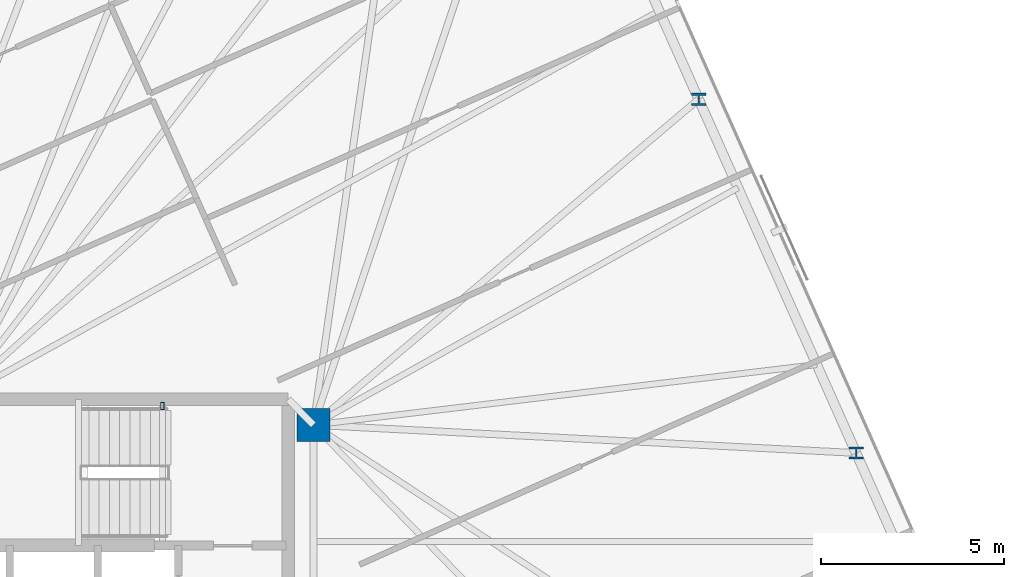
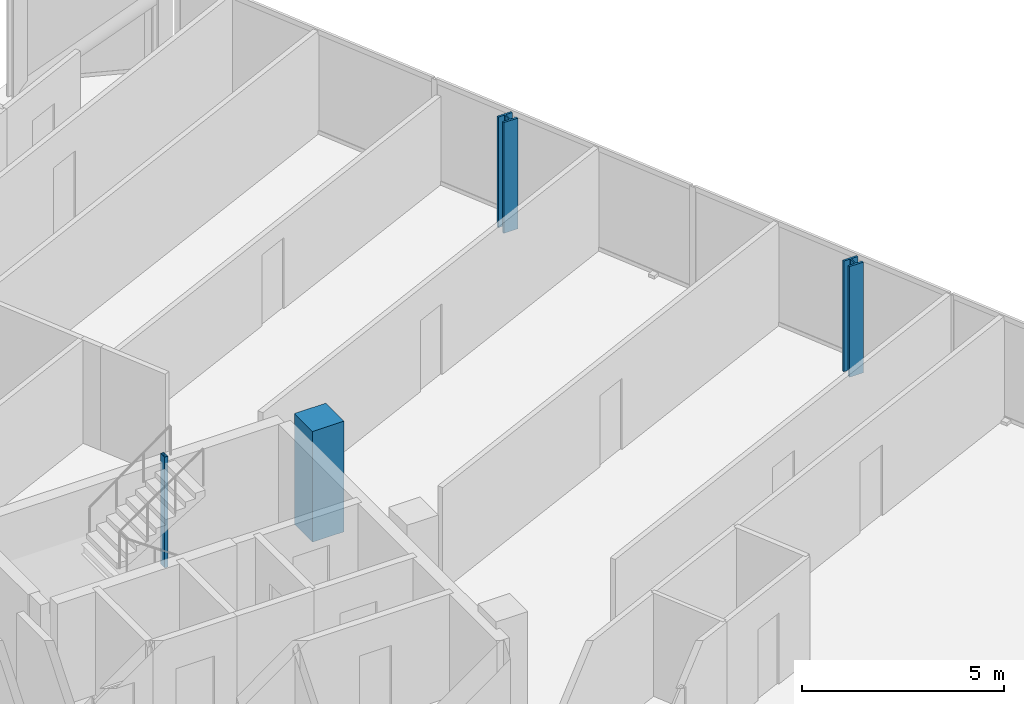
# One storey, part 3 of 19: 4 columns.
"""IFC4 building model written with IfcOpenShell, lengths in metres."""

import ifcopenshell
import ifcopenshell.guid

model = None  # the IFC model being written
_history = None  # IfcOwnerHistory: only IFC2X3 demands one
_inside = {}  # id of a spatial element -> (the spatial element, [elements in it])
_under = {}  # id of a project, library or spatial element -> (it, [spatial elements below it])
_declared = {}  # id of a project -> (the project, [libraries it declares])
_typed = {}  # id of a type object -> (the type object, [elements of that type])
_made_of = {}  # id of a material, layer set ... -> (it, [elements and type objects made of it])


def new_model(schema):
    """Start an empty IFC model of exactly this schema.

    Asked for "IFC4X3", IfcOpenShell would pick the latest addendum, in which some entities
    have other attributes; the version numbers below select the first issue.
    IFC2X3 requires an IfcOwnerHistory on every rooted entity: one is made here for all.
    """
    global model, _history
    if schema == "IFC4X3":
        model = ifcopenshell.file(schema_version=(4, 3, 0, 0))
    else:
        model = ifcopenshell.file(schema=schema)
    _inside.clear()
    _under.clear()
    _declared.clear()
    _typed.clear()
    _made_of.clear()
    _history = None
    if model.schema == "IFC2X3":
        org = make("IfcOrganization", Name="unknown")
        user = make(
            "IfcPersonAndOrganization",
            ThePerson=make("IfcPerson", FamilyName="unknown"),
            TheOrganization=org,
        )
        app = make(
            "IfcApplication",
            ApplicationDeveloper=org,
            Version="unknown",
            ApplicationFullName="unknown",
            ApplicationIdentifier="unknown",
        )
        _history = make(
            "IfcOwnerHistory",
            OwningUser=user,
            OwningApplication=app,
            ChangeAction="ADDED",
            CreationDate=0,
        )
    return model


def make(cls, **values):
    """One entity of the class cls with the attributes given. An attribute that is None is left unset."""
    return model.create_entity(
        cls, **{name: value for name, value in values.items() if value is not None}
    )


def rooted(cls, **values):
    """An entity with a GlobalId (a new one), such as an element, a storey or a relation."""
    return make(cls, GlobalId=ifcopenshell.guid.new(), OwnerHistory=_history, **values)


def si_unit(unit_type, name, prefix=None):
    """IfcSIUnit, for example si_unit("LENGTHUNIT", "METRE", prefix="MILLI")."""
    return make("IfcSIUnit", UnitType=unit_type, Prefix=prefix, Name=name)


def assignment(units):
    """IfcUnitAssignment: the units of a project."""
    return None if units is None else make("IfcUnitAssignment", Units=units)


def point(xyz):
    """IfcCartesianPoint."""
    return None if xyz is None else make("IfcCartesianPoint", Coordinates=xyz)


def direction(xyz):
    """IfcDirection."""
    return None if xyz is None else make("IfcDirection", DirectionRatios=xyz)


def frame(location, z_axis=None, x_axis=None):
    """IfcAxis2Placement3D, a coordinate frame: its origin and axes. An axis left out is left unset."""
    return make(
        "IfcAxis2Placement3D",
        Location=point(location),
        Axis=direction(z_axis),
        RefDirection=direction(x_axis),
    )


def frame_2d(location, x_axis=None):
    """IfcAxis2Placement2D, a coordinate frame in the plane: its origin and x axis."""
    return make(
        "IfcAxis2Placement2D", Location=point(location), RefDirection=direction(x_axis)
    )


def origin():
    """The frame at (0, 0, 0) with its axes left unset."""
    return frame((0.0, 0.0, 0.0))


def origin_2d():
    """The frame at (0, 0) in the plane with its x axis left unset."""
    return frame_2d((0.0, 0.0))


def place(relative_to, where):
    """IfcLocalPlacement: puts the frame where relative to a parent placement (None: the world)."""
    return make(
        "IfcLocalPlacement", PlacementRelTo=relative_to, RelativePlacement=where
    )


def context(
    kind, dimensions, precision=None, world=None, true_north=None, identifier=None
):
    """IfcGeometricRepresentationContext, for example the 3D "Model" context."""
    return make(
        "IfcGeometricRepresentationContext",
        ContextIdentifier=identifier,
        ContextType=kind,
        CoordinateSpaceDimension=dimensions,
        Precision=precision,
        WorldCoordinateSystem=world,
        TrueNorth=true_north,
    )


def subcontext(parent, identifier, kind, view, scale=None):
    """IfcGeometricRepresentationSubContext, for example "Body" below "Model"."""
    return make(
        "IfcGeometricRepresentationSubContext",
        ContextIdentifier=identifier,
        ContextType=kind,
        ParentContext=parent,
        TargetScale=scale,
        TargetView=view,
    )


def project(units=None, contexts=None):
    """IfcProject with its units and contexts."""
    return rooted(
        "IfcProject",
        Name="project",
        RepresentationContexts=contexts,
        UnitsInContext=assignment(units),
    )


def spatial(cls, under=None, at=None, **own):
    """A site, building, storey or space (cls), placed at a placement, below another one or the project."""
    s = rooted(cls, ObjectPlacement=at, **own)
    if under is not None:
        _under.setdefault(under.id(), (under, []))[1].append(s)
    return s


def profile(cls, at=None, kind="AREA", **sizes):
    """A parametric profile (cls). Its sizes go by their IFC names, for example OverallWidth=200.0."""
    return make(cls, ProfileType=kind, Position=at, **sizes)


def rectangle(**sizes):
    """IfcRectangleProfileDef."""
    return profile("IfcRectangleProfileDef", **sizes)


def hollow_rectangle(**sizes):
    """IfcRectangleHollowProfileDef."""
    return profile("IfcRectangleHollowProfileDef", **sizes)


def i_section(**sizes):
    """IfcIShapeProfileDef."""
    return profile("IfcIShapeProfileDef", **sizes)


def extrude(swept, where, along, depth):
    """IfcExtrudedAreaSolid: the profile swept, set in the frame where, extruded along a direction by depth."""
    return make(
        "IfcExtrudedAreaSolid",
        SweptArea=swept,
        Position=where,
        ExtrudedDirection=direction(along),
        Depth=depth,
    )


def shape(context_of_items, identifier, shape_type, items):
    """IfcShapeRepresentation: the items that make up one representation, for example the "Body"."""
    return make(
        "IfcShapeRepresentation",
        ContextOfItems=context_of_items,
        RepresentationIdentifier=identifier,
        RepresentationType=shape_type,
        Items=items,
    )


def material(Name=None, Category=None):
    """IfcMaterial."""
    return make("IfcMaterial", Name=Name, Category=Category)


def material_profile(
    of_material, cross_section, Name=None, Category=None, Priority=None
):
    """IfcMaterialProfile: a cross section and its material."""
    return make(
        "IfcMaterialProfile",
        Name=Name,
        Material=of_material,
        Profile=cross_section,
        Priority=Priority,
        Category=Category,
    )


def profile_set(profiles, Name=None, composite=None):
    """IfcMaterialProfileSet."""
    return make(
        "IfcMaterialProfileSet",
        Name=Name,
        MaterialProfiles=profiles,
        CompositeProfile=composite,
    )


def made_of(thing, what):
    """Note that an element or type object is made of a material, layer set ...; save() writes the relation."""
    if what is not None:
        _made_of.setdefault(what.id(), (what, []))[1].append(thing)
    return thing


def type_object(cls, material=None, **own):
    """A type object (cls), such as IfcWallType, which elements share."""
    return made_of(rooted(cls, **own), material)


def element(
    cls,
    number,
    at=None,
    inside=None,
    cuts=None,
    type_object=None,
    material=None,
    context=None,
    identifier="Body",
    shape_type=None,
    held_by="IfcProductDefinitionShape",
    body=None,
    shapes=None,
    **own,
):
    """One element of the class cls, such as IfcWall. Its Tag is "e" and its number.

    at: its placement. inside: the storey or other place that contains it. cuts: it is an
    opening in that element (IfcRelVoidsElement). A single representation is given by context,
    identifier, shape_type and body (its items); several are given by shapes. held_by: the class
    of the entity that holds the representations. save() writes the other relations.
    """
    e = rooted(cls, Tag="e%d" % number, ObjectPlacement=at, **own)
    if body is not None:
        shapes = [shape(context, identifier, shape_type, body)]
    if shapes is not None:
        e.Representation = make(held_by, Representations=shapes)
    if inside is not None:
        _inside.setdefault(inside.id(), (inside, []))[1].append(e)
    if cuts is not None:
        rooted(
            "IfcRelVoidsElement", RelatingBuildingElement=cuts, RelatedOpeningElement=e
        )
    if type_object is not None:
        _typed.setdefault(type_object.id(), (type_object, []))[1].append(e)
    return made_of(e, material)


def aggregate(whole, parts):
    """IfcRelAggregates: a whole, such as a stair, and the parts it consists of."""
    return rooted("IfcRelAggregates", RelatingObject=whole, RelatedObjects=parts)


def save(model, path):
    """Write the relations noted so far, then the file.

    IfcRelAggregates (storeys below a building ...), IfcRelContainedInSpatialStructure (elements
    in a storey), IfcRelDefinesByType, IfcRelAssociatesMaterial and IfcRelDeclares: one each for
    every whole, place, type object, material and project.
    """
    for whole, parts in _under.values():
        aggregate(whole, parts)
    for where, things in _inside.values():
        rooted(
            "IfcRelContainedInSpatialStructure",
            RelatedElements=things,
            RelatingStructure=where,
        )
    for kind, things in _typed.values():
        rooted("IfcRelDefinesByType", RelatedObjects=things, RelatingType=kind)
    for what, things in _made_of.values():
        rooted("IfcRelAssociatesMaterial", RelatedObjects=things, RelatingMaterial=what)
    for by, libraries in _declared.values():
        rooted("IfcRelDeclares", RelatingContext=by, RelatedDefinitions=libraries)
    model.write(path)


model = new_model("IFC4")

# Units and contexts
model_context = context("Model", 3, precision=1e-05, world=origin(), true_north=direction((0.0, 1.0)))
body_context = subcontext(model_context, "Body", "Model", "MODEL_VIEW")
ifc_project = project(units=[si_unit("LENGTHUNIT", "METRE"), si_unit("AREAUNIT", "SQUARE_METRE"), si_unit("VOLUMEUNIT", "CUBIC_METRE"), si_unit("PLANEANGLEUNIT", "RADIAN"), si_unit("MASSUNIT", "GRAM", prefix="KILO")], contexts=[model_context])

# Site, building, storey
site_placement = place(None, origin())
site = spatial("IfcSite", under=ifc_project, at=site_placement, CompositionType="ELEMENT")
building_placement = place(site_placement, origin())
building = spatial("IfcBuilding", under=site, at=building_placement, Name="Menara Jurai Vektor", CompositionType="ELEMENT")
storey_placement = place(building_placement, frame((0.0, 0.0, 281.89990234375)))
storey = spatial("IfcBuildingStorey", under=building, at=storey_placement, Name="L75", CompositionType="ELEMENT", Elevation=281.89990234375)

# Columns
ifc_material_1 = material(Name="Concrete C50/60", Category="concrete")
ifc_material_profile_1 = material_profile(ifc_material_1, rectangle(XDim=0.89990234375, YDim=0.89990234375, at=origin_2d()), Name="RC 900x900")
ifc_profile_set_1 = profile_set([ifc_material_profile_1], Name="Concrete C50/60")
column_type_1 = type_object("IfcColumnType", Name="STR-COL-RC900", PredefinedType="COLUMN", material=ifc_profile_set_1)
column_1_placement = place(storey_placement, frame((15.25, 4.89990234375, 0.0), z_axis=(0.0, 0.0, 1.0), x_axis=(1.0, 0.0, 0.0)))
element("IfcColumn", 1, at=column_1_placement, inside=storey, type_object=column_type_1, Name="Core Spine Column CE-NE L75", PredefinedType="COLUMN", context=body_context, shape_type="SweptSolid", body=[
    extrude(rectangle(XDim=0.89990234375, YDim=0.89990234375, at=origin_2d()), origin(), (0.0, 0.0, 1.0), 3.35009765625),
])
ifc_material_2 = material(Name="Steel S355", Category="steel")
ifc_material_profile_2 = material_profile(ifc_material_2, hollow_rectangle(XDim=0.10009765625, YDim=0.199951171875, WallThickness=0.008056640625, at=origin_2d()), Name="RHS 200x100x8")
ifc_profile_set_2 = profile_set([ifc_material_profile_2], Name="Steel S355")
column_type_2 = type_object("IfcColumnType", Name="STR-COL-STAIR", PredefinedType="COLUMN", material=ifc_profile_set_2)
column_2_placement = place(storey_placement, frame((11.1201171875, 5.419921875, 0.0), z_axis=(0.0, 0.0, 1.0), x_axis=(1.0, 0.0, 0.0)))
element("IfcColumn", 2, at=column_2_placement, inside=storey, type_object=column_type_2, Name="Stair Well Header Column ST2-P2 L75", PredefinedType="COLUMN", context=body_context, shape_type="SweptSolid", body=[
    extrude(hollow_rectangle(XDim=0.10009765625, YDim=0.199951171875, WallThickness=0.008056640625, at=origin_2d()), origin(), (0.0, 0.0, 1.0), 3.35009765625),
])
ifc_material_3 = material(Name="Steel S460", Category="steel")
ifc_material_profile_3 = material_profile(ifc_material_3, i_section(OverallWidth=0.40087890625, OverallDepth=0.3349609375, WebThickness=0.035888671875, FlangeThickness=0.05810546875, FilletRadius=0.014892578125, at=origin_2d()), Name="HD 400x463")
ifc_profile_set_3 = profile_set([ifc_material_profile_3], Name="Steel S460")
column_type_3 = type_object("IfcColumnType", Name="STR-EXO-BLK5", PredefinedType="COLUMN", material=ifc_profile_set_3)
for number, where, z_axis, x_axis, name in (
    (3, (30.086181640625, 4.13330078125, 0.0), (0.0, 0.0, 1.0), (1.0, 0.0, 0.0), "Exoskeleton Column BLK5-E2 L75"),
    (4, (25.781005859375, 13.80322265625, 0.0), (0.0, 0.0, 1.0), (1.0, 0.0, 0.0), "Exoskeleton Column BLK5-E3 L75"),
):
    element("IfcColumn", number, at=place(storey_placement, frame(where, z_axis=z_axis, x_axis=x_axis)), inside=storey, type_object=column_type_3, Name=name, PredefinedType="COLUMN", context=body_context, shape_type="SweptSolid", body=[
        extrude(i_section(OverallWidth=0.40087890625, OverallDepth=0.3349609375, WebThickness=0.035888671875, FlangeThickness=0.05810546875, FilletRadius=0.014892578125, at=origin_2d()), origin(), (0.0, 0.0, 1.0), 3.35009765625),
    ])

save(model, "model.ifc")
